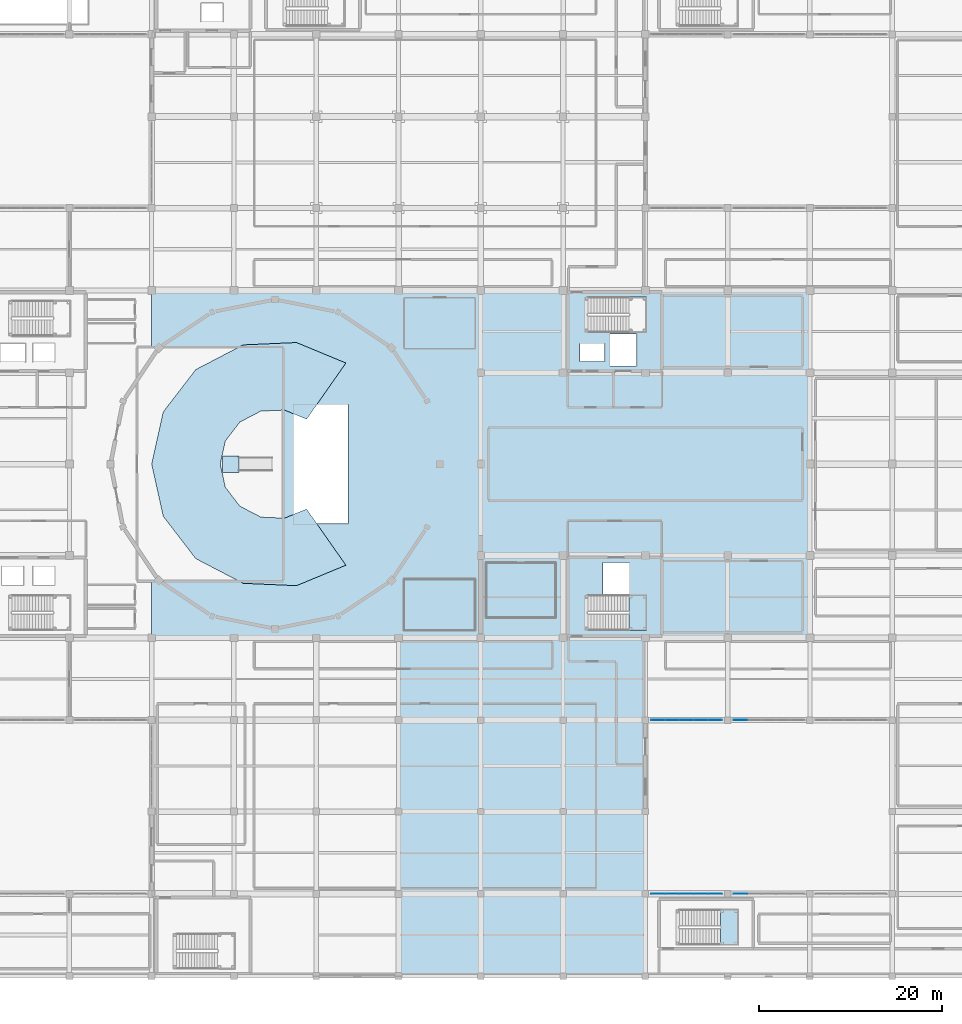
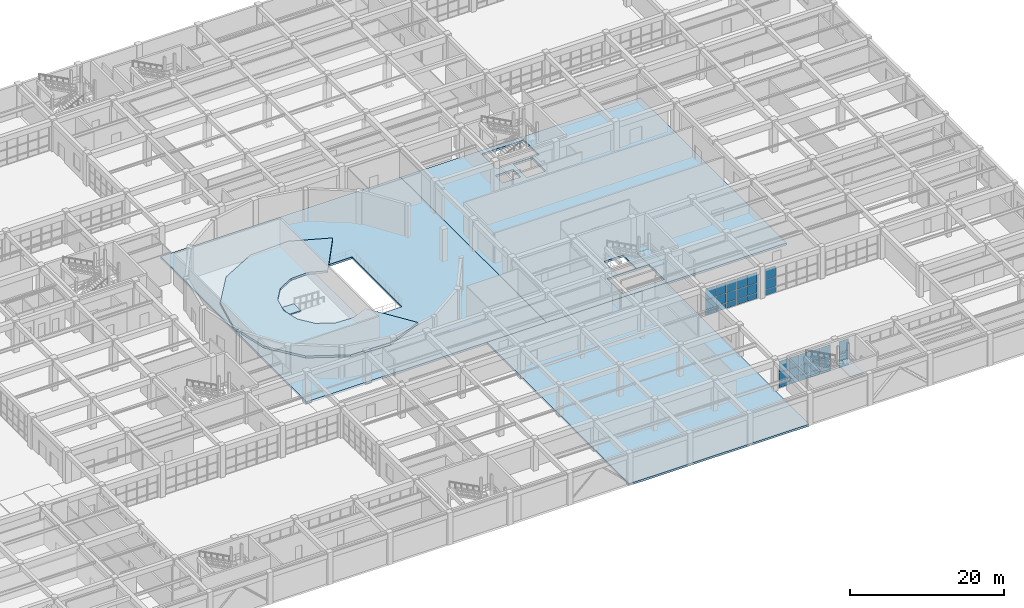
# One storey, part 88 of 128: 36 plates, 7 slabs, 7 elements without a shape of their own.
"""IFC4 building model written with IfcOpenShell, lengths in metres."""

from ifc_helpers import new_model, si_unit, direction, frame, origin, origin_2d, place, context, subcontext, project, spatial, polyline, rectangle, outline, extrude, material, layer, layer_set, type_object, element, aggregate, save


model = new_model("IFC4")

# Units and contexts
model_context = context("Model", 3, precision=1e-05, world=origin(), true_north=direction((0.0, 1.0)))
body_context = subcontext(model_context, "Body", "Model", "MODEL_VIEW")
ifc_project = project(units=[si_unit("LENGTHUNIT", "METRE"), si_unit("AREAUNIT", "SQUARE_METRE"), si_unit("VOLUMEUNIT", "CUBIC_METRE"), si_unit("PLANEANGLEUNIT", "RADIAN"), si_unit("MASSUNIT", "GRAM", prefix="KILO")], contexts=[model_context])

# Site, building, storey
site_placement = place(None, origin())
site = spatial("IfcSite", under=ifc_project, at=site_placement, CompositionType="ELEMENT")
building_placement = place(site_placement, origin())
building = spatial("IfcBuilding", under=site, at=building_placement, Name="Miravela Opera House", CompositionType="ELEMENT")
storey_placement = place(building_placement, origin())
storey = spatial("IfcBuildingStorey", under=building, at=storey_placement, Name="L00", CompositionType="ELEMENT", Elevation=0.0)

# Curtain wall, plates
ifc_material_1 = material(Name="Anodised architectural bronze aluminium 6063-T6", Category="aluminium")
curtain_wall_type = type_object("IfcCurtainWallType", Name="ARC-CW-06", PredefinedType="NOTDEFINED", material=ifc_material_1)
curtain_wall_1_placement = place(storey_placement, origin())
curtain_wall_1 = element("IfcCurtainWall", 1, at=curtain_wall_1_placement, inside=storey, type_object=curtain_wall_type, Name="Courtyard Arcade Curtain Wall CW-L00-158", PredefinedType="NOTDEFINED")
ifc_material_2 = material(Name="Acoustic laminated low-E insulating glass", Category="glass")
ifc_layer_1 = layer(ifc_material_2, 0.028076171875)
ifc_layer_set_1 = layer_set([ifc_layer_1])
plate_type = type_object("IfcPlateType", Name="ARC-CWP-28", PredefinedType="CURTAIN_PANEL", material=ifc_layer_set_1)
plate_1_placement = place(storey_placement, frame((118.37890625, 28.0, 0.06005859375), z_axis=(0.0, 0.0, 1.0), x_axis=(1.0, 0.0, 0.0)))
plate_1 = element("IfcPlate", 2, at=plate_1_placement, type_object=plate_type, Name="CW-06 panel 1.1", PredefinedType="CURTAIN_PANEL", context=body_context, shape_type="SweptSolid", body=[
    extrude(rectangle(XDim=1.47802734375, YDim=0.028076171875, at=origin_2d()), origin(), (0.0, 0.0, 1.0), 0.860107421875),
])
plate_2_placement = place(storey_placement, frame((118.37890625, 28.0, 0.97998046875), z_axis=(0.0, 0.0, 1.0), x_axis=(1.0, 0.0, 0.0)))
plate_2 = element("IfcPlate", 3, at=plate_2_placement, type_object=plate_type, Name="CW-06 panel 1.2", PredefinedType="CURTAIN_PANEL", context=body_context, shape_type="SweptSolid", body=[
    extrude(rectangle(XDim=1.47802734375, YDim=0.028076171875, at=origin_2d()), origin(), (0.0, 0.0, 1.0), 1.48388671875),
])
plate_3_placement = place(storey_placement, frame((118.37890625, 28.0, 2.52392578125), z_axis=(0.0, 0.0, 1.0), x_axis=(1.0, 0.0, 0.0)))
plate_3 = element("IfcPlate", 4, at=plate_3_placement, type_object=plate_type, Name="CW-06 panel 1.3", PredefinedType="CURTAIN_PANEL", context=body_context, shape_type="SweptSolid", body=[
    extrude(rectangle(XDim=1.47802734375, YDim=0.028076171875, at=origin_2d()), origin(), (0.0, 0.0, 1.0), 1.716064453125),
])
plate_4_placement = place(storey_placement, frame((119.931884765625, 28.0, 0.06005859375), z_axis=(0.0, 0.0, 1.0), x_axis=(1.0, 0.0, 0.0)))
plate_4 = element("IfcPlate", 5, at=plate_4_placement, type_object=plate_type, Name="CW-06 panel 2.1", PredefinedType="CURTAIN_PANEL", context=body_context, shape_type="SweptSolid", body=[
    extrude(rectangle(XDim=1.508056640625, YDim=0.028076171875, at=origin_2d()), origin(), (0.0, 0.0, 1.0), 0.860107421875),
])
plate_5_placement = place(storey_placement, frame((119.931884765625, 28.0, 0.97998046875), z_axis=(0.0, 0.0, 1.0), x_axis=(1.0, 0.0, 0.0)))
plate_5 = element("IfcPlate", 6, at=plate_5_placement, type_object=plate_type, Name="CW-06 panel 2.2", PredefinedType="CURTAIN_PANEL", context=body_context, shape_type="SweptSolid", body=[
    extrude(rectangle(XDim=1.508056640625, YDim=0.028076171875, at=origin_2d()), origin(), (0.0, 0.0, 1.0), 1.48388671875),
])
plate_6_placement = place(storey_placement, frame((119.931884765625, 28.0, 2.52392578125), z_axis=(0.0, 0.0, 1.0), x_axis=(1.0, 0.0, 0.0)))
plate_6 = element("IfcPlate", 7, at=plate_6_placement, type_object=plate_type, Name="CW-06 panel 2.3", PredefinedType="CURTAIN_PANEL", context=body_context, shape_type="SweptSolid", body=[
    extrude(rectangle(XDim=1.508056640625, YDim=0.028076171875, at=origin_2d()), origin(), (0.0, 0.0, 1.0), 1.716064453125),
])
plate_7_placement = place(storey_placement, frame((121.5, 28.0, 0.06005859375), z_axis=(0.0, 0.0, 1.0), x_axis=(1.0, 0.0, 0.0)))
plate_7 = element("IfcPlate", 8, at=plate_7_placement, type_object=plate_type, Name="CW-06 panel 3.1", PredefinedType="CURTAIN_PANEL", context=body_context, shape_type="SweptSolid", body=[
    extrude(rectangle(XDim=1.508056640625, YDim=0.028076171875, at=origin_2d()), origin(), (0.0, 0.0, 1.0), 0.860107421875),
])
plate_8_placement = place(storey_placement, frame((121.5, 28.0, 0.97998046875), z_axis=(0.0, 0.0, 1.0), x_axis=(1.0, 0.0, 0.0)))
plate_8 = element("IfcPlate", 9, at=plate_8_placement, type_object=plate_type, Name="CW-06 panel 3.2", PredefinedType="CURTAIN_PANEL", context=body_context, shape_type="SweptSolid", body=[
    extrude(rectangle(XDim=1.508056640625, YDim=0.028076171875, at=origin_2d()), origin(), (0.0, 0.0, 1.0), 1.48388671875),
])
plate_9_placement = place(storey_placement, frame((121.5, 28.0, 2.52392578125), z_axis=(0.0, 0.0, 1.0), x_axis=(1.0, 0.0, 0.0)))
plate_9 = element("IfcPlate", 10, at=plate_9_placement, type_object=plate_type, Name="CW-06 panel 3.3", PredefinedType="CURTAIN_PANEL", context=body_context, shape_type="SweptSolid", body=[
    extrude(rectangle(XDim=1.508056640625, YDim=0.028076171875, at=origin_2d()), origin(), (0.0, 0.0, 1.0), 1.716064453125),
])
plate_10_placement = place(storey_placement, frame((123.068115234375, 28.0, 0.06005859375), z_axis=(0.0, 0.0, 1.0), x_axis=(1.0, 0.0, 0.0)))
plate_10 = element("IfcPlate", 11, at=plate_10_placement, type_object=plate_type, Name="CW-06 panel 4.1", PredefinedType="CURTAIN_PANEL", context=body_context, shape_type="SweptSolid", body=[
    extrude(rectangle(XDim=1.508056640625, YDim=0.028076171875, at=origin_2d()), origin(), (0.0, 0.0, 1.0), 0.860107421875),
])
plate_11_placement = place(storey_placement, frame((123.068115234375, 28.0, 0.97998046875), z_axis=(0.0, 0.0, 1.0), x_axis=(1.0, 0.0, 0.0)))
plate_11 = element("IfcPlate", 12, at=plate_11_placement, type_object=plate_type, Name="CW-06 panel 4.2", PredefinedType="CURTAIN_PANEL", context=body_context, shape_type="SweptSolid", body=[
    extrude(rectangle(XDim=1.508056640625, YDim=0.028076171875, at=origin_2d()), origin(), (0.0, 0.0, 1.0), 1.48388671875),
])
plate_12_placement = place(storey_placement, frame((123.068115234375, 28.0, 2.52392578125), z_axis=(0.0, 0.0, 1.0), x_axis=(1.0, 0.0, 0.0)))
plate_12 = element("IfcPlate", 13, at=plate_12_placement, type_object=plate_type, Name="CW-06 panel 4.3", PredefinedType="CURTAIN_PANEL", context=body_context, shape_type="SweptSolid", body=[
    extrude(rectangle(XDim=1.508056640625, YDim=0.028076171875, at=origin_2d()), origin(), (0.0, 0.0, 1.0), 1.716064453125),
])
plate_13_placement = place(storey_placement, frame((124.62109375, 28.0, 0.06005859375), z_axis=(0.0, 0.0, 1.0), x_axis=(1.0, 0.0, 0.0)))
plate_13 = element("IfcPlate", 14, at=plate_13_placement, type_object=plate_type, Name="CW-06 panel 5.1", PredefinedType="CURTAIN_PANEL", context=body_context, shape_type="SweptSolid", body=[
    extrude(rectangle(XDim=1.47802734375, YDim=0.028076171875, at=origin_2d()), origin(), (0.0, 0.0, 1.0), 0.860107421875),
])
plate_14_placement = place(storey_placement, frame((124.62109375, 28.0, 0.97998046875), z_axis=(0.0, 0.0, 1.0), x_axis=(1.0, 0.0, 0.0)))
plate_14 = element("IfcPlate", 15, at=plate_14_placement, type_object=plate_type, Name="CW-06 panel 5.2", PredefinedType="CURTAIN_PANEL", context=body_context, shape_type="SweptSolid", body=[
    extrude(rectangle(XDim=1.47802734375, YDim=0.028076171875, at=origin_2d()), origin(), (0.0, 0.0, 1.0), 1.48388671875),
])
plate_15_placement = place(storey_placement, frame((124.62109375, 28.0, 2.52392578125), z_axis=(0.0, 0.0, 1.0), x_axis=(1.0, 0.0, 0.0)))
plate_15 = element("IfcPlate", 16, at=plate_15_placement, type_object=plate_type, Name="CW-06 panel 5.3", PredefinedType="CURTAIN_PANEL", context=body_context, shape_type="SweptSolid", body=[
    extrude(rectangle(XDim=1.47802734375, YDim=0.028076171875, at=origin_2d()), origin(), (0.0, 0.0, 1.0), 1.716064453125),
])
aggregate(curtain_wall_1, [plate_1, plate_2, plate_3, plate_4, plate_5, plate_6, plate_7, plate_8, plate_9, plate_10, plate_11, plate_12, plate_13, plate_14, plate_15])

curtain_wall_2_placement = place(storey_placement, origin())
curtain_wall_2 = element("IfcCurtainWall", 17, at=curtain_wall_2_placement, inside=storey, type_object=curtain_wall_type, Name="Courtyard Arcade Curtain Wall CW-L00-159", PredefinedType="NOTDEFINED")
plate_16_placement = place(storey_placement, frame((118.37890625, 9.0, 0.06005859375), z_axis=(0.0, 0.0, 1.0), x_axis=(1.0, 0.0, 0.0)))
plate_16 = element("IfcPlate", 18, at=plate_16_placement, type_object=plate_type, Name="CW-06 panel 1.1", PredefinedType="CURTAIN_PANEL", context=body_context, shape_type="SweptSolid", body=[
    extrude(rectangle(XDim=1.47802734375, YDim=0.028076171875, at=origin_2d()), origin(), (0.0, 0.0, 1.0), 0.860107421875),
])
plate_17_placement = place(storey_placement, frame((118.37890625, 9.0, 0.97998046875), z_axis=(0.0, 0.0, 1.0), x_axis=(1.0, 0.0, 0.0)))
plate_17 = element("IfcPlate", 19, at=plate_17_placement, type_object=plate_type, Name="CW-06 panel 1.2", PredefinedType="CURTAIN_PANEL", context=body_context, shape_type="SweptSolid", body=[
    extrude(rectangle(XDim=1.47802734375, YDim=0.028076171875, at=origin_2d()), origin(), (0.0, 0.0, 1.0), 1.48388671875),
])
plate_18_placement = place(storey_placement, frame((118.37890625, 9.0, 2.52392578125), z_axis=(0.0, 0.0, 1.0), x_axis=(1.0, 0.0, 0.0)))
plate_18 = element("IfcPlate", 20, at=plate_18_placement, type_object=plate_type, Name="CW-06 panel 1.3", PredefinedType="CURTAIN_PANEL", context=body_context, shape_type="SweptSolid", body=[
    extrude(rectangle(XDim=1.47802734375, YDim=0.028076171875, at=origin_2d()), origin(), (0.0, 0.0, 1.0), 1.716064453125),
])
plate_19_placement = place(storey_placement, frame((119.931884765625, 9.0, 0.06005859375), z_axis=(0.0, 0.0, 1.0), x_axis=(1.0, 0.0, 0.0)))
plate_19 = element("IfcPlate", 21, at=plate_19_placement, type_object=plate_type, Name="CW-06 panel 2.1", PredefinedType="CURTAIN_PANEL", context=body_context, shape_type="SweptSolid", body=[
    extrude(rectangle(XDim=1.508056640625, YDim=0.028076171875, at=origin_2d()), origin(), (0.0, 0.0, 1.0), 0.860107421875),
])
plate_20_placement = place(storey_placement, frame((119.931884765625, 9.0, 0.97998046875), z_axis=(0.0, 0.0, 1.0), x_axis=(1.0, 0.0, 0.0)))
plate_20 = element("IfcPlate", 22, at=plate_20_placement, type_object=plate_type, Name="CW-06 panel 2.2", PredefinedType="CURTAIN_PANEL", context=body_context, shape_type="SweptSolid", body=[
    extrude(rectangle(XDim=1.508056640625, YDim=0.028076171875, at=origin_2d()), origin(), (0.0, 0.0, 1.0), 1.48388671875),
])
plate_21_placement = place(storey_placement, frame((119.931884765625, 9.0, 2.52392578125), z_axis=(0.0, 0.0, 1.0), x_axis=(1.0, 0.0, 0.0)))
plate_21 = element("IfcPlate", 23, at=plate_21_placement, type_object=plate_type, Name="CW-06 panel 2.3", PredefinedType="CURTAIN_PANEL", context=body_context, shape_type="SweptSolid", body=[
    extrude(rectangle(XDim=1.508056640625, YDim=0.028076171875, at=origin_2d()), origin(), (0.0, 0.0, 1.0), 1.716064453125),
])
plate_22_placement = place(storey_placement, frame((121.5, 9.0, 0.06005859375), z_axis=(0.0, 0.0, 1.0), x_axis=(1.0, 0.0, 0.0)))
plate_22 = element("IfcPlate", 24, at=plate_22_placement, type_object=plate_type, Name="CW-06 panel 3.1", PredefinedType="CURTAIN_PANEL", context=body_context, shape_type="SweptSolid", body=[
    extrude(rectangle(XDim=1.508056640625, YDim=0.028076171875, at=origin_2d()), origin(), (0.0, 0.0, 1.0), 0.860107421875),
])
plate_23_placement = place(storey_placement, frame((121.5, 9.0, 0.97998046875), z_axis=(0.0, 0.0, 1.0), x_axis=(1.0, 0.0, 0.0)))
plate_23 = element("IfcPlate", 25, at=plate_23_placement, type_object=plate_type, Name="CW-06 panel 3.2", PredefinedType="CURTAIN_PANEL", context=body_context, shape_type="SweptSolid", body=[
    extrude(rectangle(XDim=1.508056640625, YDim=0.028076171875, at=origin_2d()), origin(), (0.0, 0.0, 1.0), 1.48388671875),
])
plate_24_placement = place(storey_placement, frame((121.5, 9.0, 2.52392578125), z_axis=(0.0, 0.0, 1.0), x_axis=(1.0, 0.0, 0.0)))
plate_24 = element("IfcPlate", 26, at=plate_24_placement, type_object=plate_type, Name="CW-06 panel 3.3", PredefinedType="CURTAIN_PANEL", context=body_context, shape_type="SweptSolid", body=[
    extrude(rectangle(XDim=1.508056640625, YDim=0.028076171875, at=origin_2d()), origin(), (0.0, 0.0, 1.0), 1.716064453125),
])
plate_25_placement = place(storey_placement, frame((123.068115234375, 9.0, 0.06005859375), z_axis=(0.0, 0.0, 1.0), x_axis=(1.0, 0.0, 0.0)))
plate_25 = element("IfcPlate", 27, at=plate_25_placement, type_object=plate_type, Name="CW-06 panel 4.1", PredefinedType="CURTAIN_PANEL", context=body_context, shape_type="SweptSolid", body=[
    extrude(rectangle(XDim=1.508056640625, YDim=0.028076171875, at=origin_2d()), origin(), (0.0, 0.0, 1.0), 0.860107421875),
])
plate_26_placement = place(storey_placement, frame((123.068115234375, 9.0, 0.97998046875), z_axis=(0.0, 0.0, 1.0), x_axis=(1.0, 0.0, 0.0)))
plate_26 = element("IfcPlate", 28, at=plate_26_placement, type_object=plate_type, Name="CW-06 panel 4.2", PredefinedType="CURTAIN_PANEL", context=body_context, shape_type="SweptSolid", body=[
    extrude(rectangle(XDim=1.508056640625, YDim=0.028076171875, at=origin_2d()), origin(), (0.0, 0.0, 1.0), 1.48388671875),
])
plate_27_placement = place(storey_placement, frame((123.068115234375, 9.0, 2.52392578125), z_axis=(0.0, 0.0, 1.0), x_axis=(1.0, 0.0, 0.0)))
plate_27 = element("IfcPlate", 29, at=plate_27_placement, type_object=plate_type, Name="CW-06 panel 4.3", PredefinedType="CURTAIN_PANEL", context=body_context, shape_type="SweptSolid", body=[
    extrude(rectangle(XDim=1.508056640625, YDim=0.028076171875, at=origin_2d()), origin(), (0.0, 0.0, 1.0), 1.716064453125),
])
plate_28_placement = place(storey_placement, frame((124.62109375, 9.0, 0.06005859375), z_axis=(0.0, 0.0, 1.0), x_axis=(1.0, 0.0, 0.0)))
plate_28 = element("IfcPlate", 30, at=plate_28_placement, type_object=plate_type, Name="CW-06 panel 5.1", PredefinedType="CURTAIN_PANEL", context=body_context, shape_type="SweptSolid", body=[
    extrude(rectangle(XDim=1.47802734375, YDim=0.028076171875, at=origin_2d()), origin(), (0.0, 0.0, 1.0), 0.860107421875),
])
plate_29_placement = place(storey_placement, frame((124.62109375, 9.0, 0.97998046875), z_axis=(0.0, 0.0, 1.0), x_axis=(1.0, 0.0, 0.0)))
plate_29 = element("IfcPlate", 31, at=plate_29_placement, type_object=plate_type, Name="CW-06 panel 5.2", PredefinedType="CURTAIN_PANEL", context=body_context, shape_type="SweptSolid", body=[
    extrude(rectangle(XDim=1.47802734375, YDim=0.028076171875, at=origin_2d()), origin(), (0.0, 0.0, 1.0), 1.48388671875),
])
plate_30_placement = place(storey_placement, frame((124.62109375, 9.0, 2.52392578125), z_axis=(0.0, 0.0, 1.0), x_axis=(1.0, 0.0, 0.0)))
plate_30 = element("IfcPlate", 32, at=plate_30_placement, type_object=plate_type, Name="CW-06 panel 5.3", PredefinedType="CURTAIN_PANEL", context=body_context, shape_type="SweptSolid", body=[
    extrude(rectangle(XDim=1.47802734375, YDim=0.028076171875, at=origin_2d()), origin(), (0.0, 0.0, 1.0), 1.716064453125),
])
aggregate(curtain_wall_2, [plate_16, plate_17, plate_18, plate_19, plate_20, plate_21, plate_22, plate_23, plate_24, plate_25, plate_26, plate_27, plate_28, plate_29, plate_30])

curtain_wall_3_placement = place(storey_placement, origin())
curtain_wall_3 = element("IfcCurtainWall", 33, at=curtain_wall_3_placement, inside=storey, type_object=curtain_wall_type, Name="Courtyard Arcade Curtain Wall CW-L00-162", PredefinedType="NOTDEFINED")
plate_31_placement = place(storey_placement, frame((127.37890625, 28.0, 0.06005859375), z_axis=(0.0, 0.0, 1.0), x_axis=(1.0, 0.0, 0.0)))
plate_31 = element("IfcPlate", 34, at=plate_31_placement, type_object=plate_type, Name="CW-06 panel 1.1", PredefinedType="CURTAIN_PANEL", context=body_context, shape_type="SweptSolid", body=[
    extrude(rectangle(XDim=1.47802734375, YDim=0.028076171875, at=origin_2d()), origin(), (0.0, 0.0, 1.0), 0.860107421875),
])
plate_32_placement = place(storey_placement, frame((127.37890625, 28.0, 0.97998046875), z_axis=(0.0, 0.0, 1.0), x_axis=(1.0, 0.0, 0.0)))
plate_32 = element("IfcPlate", 35, at=plate_32_placement, type_object=plate_type, Name="CW-06 panel 1.2", PredefinedType="CURTAIN_PANEL", context=body_context, shape_type="SweptSolid", body=[
    extrude(rectangle(XDim=1.47802734375, YDim=0.028076171875, at=origin_2d()), origin(), (0.0, 0.0, 1.0), 1.48388671875),
])
plate_33_placement = place(storey_placement, frame((127.37890625, 28.0, 2.52392578125), z_axis=(0.0, 0.0, 1.0), x_axis=(1.0, 0.0, 0.0)))
plate_33 = element("IfcPlate", 36, at=plate_33_placement, type_object=plate_type, Name="CW-06 panel 1.3", PredefinedType="CURTAIN_PANEL", context=body_context, shape_type="SweptSolid", body=[
    extrude(rectangle(XDim=1.47802734375, YDim=0.028076171875, at=origin_2d()), origin(), (0.0, 0.0, 1.0), 1.716064453125),
])
aggregate(curtain_wall_3, [plate_31, plate_32, plate_33])

curtain_wall_4_placement = place(storey_placement, origin())
curtain_wall_4 = element("IfcCurtainWall", 37, at=curtain_wall_4_placement, inside=storey, type_object=curtain_wall_type, Name="Courtyard Arcade Curtain Wall CW-L00-163", PredefinedType="NOTDEFINED")
plate_34_placement = place(storey_placement, frame((127.37890625, 9.0, 0.06005859375), z_axis=(0.0, 0.0, 1.0), x_axis=(1.0, 0.0, 0.0)))
plate_34 = element("IfcPlate", 38, at=plate_34_placement, type_object=plate_type, Name="CW-06 panel 1.1", PredefinedType="CURTAIN_PANEL", context=body_context, shape_type="SweptSolid", body=[
    extrude(rectangle(XDim=1.47802734375, YDim=0.028076171875, at=origin_2d()), origin(), (0.0, 0.0, 1.0), 0.860107421875),
])
plate_35_placement = place(storey_placement, frame((127.37890625, 9.0, 0.97998046875), z_axis=(0.0, 0.0, 1.0), x_axis=(1.0, 0.0, 0.0)))
plate_35 = element("IfcPlate", 39, at=plate_35_placement, type_object=plate_type, Name="CW-06 panel 1.2", PredefinedType="CURTAIN_PANEL", context=body_context, shape_type="SweptSolid", body=[
    extrude(rectangle(XDim=1.47802734375, YDim=0.028076171875, at=origin_2d()), origin(), (0.0, 0.0, 1.0), 1.48388671875),
])
plate_36_placement = place(storey_placement, frame((127.37890625, 9.0, 2.52392578125), z_axis=(0.0, 0.0, 1.0), x_axis=(1.0, 0.0, 0.0)))
plate_36 = element("IfcPlate", 40, at=plate_36_placement, type_object=plate_type, Name="CW-06 panel 1.3", PredefinedType="CURTAIN_PANEL", context=body_context, shape_type="SweptSolid", body=[
    extrude(rectangle(XDim=1.47802734375, YDim=0.028076171875, at=origin_2d()), origin(), (0.0, 0.0, 1.0), 1.716064453125),
])
aggregate(curtain_wall_4, [plate_34, plate_35, plate_36])

# Stair, slab
ifc_material_3 = material(Name="Concrete C35/45", Category="concrete")
stair_type_1 = type_object("IfcStairType", Name="ARC-STAIR-CORE-1680", PredefinedType="HALF_TURN_STAIR", material=ifc_material_3)
stair_1_placement = place(storey_placement, origin())
stair_1 = element("IfcStair", 41, at=stair_1_placement, inside=storey, type_object=stair_type_1, Name="L00 Core K4 South Stage Core Exit Stair ST-04", PredefinedType="HALF_TURN_STAIR")
ifc_layer_2 = layer(ifc_material_3, 0.199951171875)
ifc_layer_set_2 = layer_set([ifc_layer_2])
slab_type_1 = type_object("IfcSlabType", Name="ARC-LANDING-200", PredefinedType="LANDING", material=ifc_layer_set_2)
slab_1_placement = place(storey_placement, frame((0.0, 0.0, 2.35009765625)))
slab_1 = element("IfcSlab", 42, at=slab_1_placement, type_object=slab_type_1, Name="ST-04 landing 1", PredefinedType="LANDING", context=body_context, shape_type="SweptSolid", body=[
    extrude(outline(polyline([(115.219970703125, 37.800048828125), (117.10009765625, 37.800048828125), (117.10009765625, 41.679931640625), (115.219970703125, 41.679931640625), (115.219970703125, 37.800048828125)])), origin(), (0.0, 0.0, 1.0), 0.199951171875),
])
aggregate(stair_1, [slab_1])

stair_type_2 = type_object("IfcStairType", Name="ARC-STAIR-WING-1680", PredefinedType="HALF_TURN_STAIR", material=ifc_material_3)
stair_2_placement = place(storey_placement, origin())
stair_2 = element("IfcStair", 43, at=stair_2_placement, inside=storey, type_object=stair_type_2, Name="L00 East Workshop Wing Exit Stair ST-10", PredefinedType="HALF_TURN_STAIR")
ifc_layer_3 = layer(ifc_material_3, 0.215087890625)
ifc_layer_set_3 = layer_set([ifc_layer_3])
slab_type_2 = type_object("IfcSlabType", Name="ARC-LANDING-215", PredefinedType="LANDING", material=ifc_layer_set_3)
slab_2_placement = place(storey_placement, frame((0.0, 0.0, 2.3349609375)))
slab_2 = element("IfcSlab", 44, at=slab_2_placement, type_object=slab_type_2, Name="ST-10 landing 1", PredefinedType="LANDING", context=body_context, shape_type="SweptSolid", body=[
    extrude(outline(polyline([(125.219970703125, 3.39990234375), (127.10009765625, 3.39990234375), (127.10009765625, 7.280029296875), (125.219970703125, 7.280029296875), (125.219970703125, 3.39990234375)])), origin(), (0.0, 0.0, 1.0), 0.215087890625),
])
aggregate(stair_2, [slab_2])

# Ramp, slab
ramp_type = type_object("IfcRampType", Name="ARC-RAMP-ACC-1800", PredefinedType="STRAIGHT_RUN_RAMP", material=ifc_material_3)
ramp_placement = place(storey_placement, origin())
ramp = element("IfcRamp", 45, at=ramp_placement, inside=storey, type_object=ramp_type, Name="Auditorium Stalls Accessible Ramp", PredefinedType="STRAIGHT_RUN_RAMP")
ifc_layer_4 = layer(ifc_material_3, 0.25)
ifc_layer_set_4 = layer_set([ifc_layer_4])
slab_type_3 = type_object("IfcSlabType", Name="ARC-RLANDING-250", PredefinedType="LANDING", material=ifc_layer_set_4)
slab_3_placement = place(storey_placement, origin())
slab_3 = element("IfcSlab", 46, at=slab_3_placement, type_object=slab_type_3, Name="Auditorium Stalls Accessible Ramp landing 1", PredefinedType="LANDING", context=body_context, shape_type="SweptSolid", body=[
    extrude(outline(polyline([(70.75, 55.10009765625), (72.550048828125, 55.10009765625), (72.550048828125, 56.89990234375), (70.75, 56.89990234375), (70.75, 55.10009765625)])), origin(), (0.0, 0.0, 1.0), 0.179931640625),
])
aggregate(ramp, [slab_3])

# Slabs
ifc_material_4 = material(Name="Concrete C40/50", Category="concrete")
ifc_layer_5 = layer(ifc_material_4, 0.320068359375)
ifc_layer_set_5 = layer_set([ifc_layer_5])
slab_type_4 = type_object("IfcSlabType", Name="STR-SLAB-STAGE-320", PredefinedType="FLOOR", material=ifc_layer_set_5)
slab_4_placement = place(storey_placement, frame((0.0, 0.0, -0.320068359375)))
element("IfcSlab", 47, at=slab_4_placement, inside=storey, type_object=slab_type_4, Name="Ground Level Slab SLAB-L00-V1E", PredefinedType="FLOOR", context=body_context, shape_type="SweptSolid", body=[
    extrude(outline(polyline([(63.0, 37.0), (99.0, 37.0), (99.0, 75.0), (63.0, 75.0), (63.0, 37.0)]), holes=[polyline([(78.5, 49.5), (84.5, 49.5), (84.5, 62.5), (78.5, 62.5), (78.5, 49.5)])]), origin(), (0.0, 0.0, 1.0), 0.320068359375),
])
slab_5_placement = place(storey_placement, frame((0.0, 0.0, -0.320068359375)))
element("IfcSlab", 48, at=slab_5_placement, inside=storey, type_object=slab_type_4, Name="Ground Level Slab SLAB-L00-V2M", PredefinedType="FLOOR", context=body_context, shape_type="SweptSolid", body=[
    extrude(outline(polyline([(99.0, 37.0), (135.0, 37.0), (135.0, 75.0), (99.0, 75.0), (99.0, 37.0)]), holes=[polyline([(110.739990234375, 70.39990234375), (117.10009765625, 70.39990234375), (117.10009765625, 74.280029296875), (110.739990234375, 74.280029296875), (110.739990234375, 70.39990234375)]), polyline([(110.739990234375, 37.800048828125), (117.10009765625, 37.800048828125), (117.10009765625, 41.679931640625), (110.739990234375, 41.679931640625), (110.739990234375, 37.800048828125)]), polyline([(109.85009765625, 67.22509765625), (112.550048828125, 67.22509765625), (112.550048828125, 69.175048828125), (109.85009765625, 69.175048828125), (109.85009765625, 67.22509765625)]), polyline([(113.14990234375, 66.75), (116.050048828125, 66.75), (116.050048828125, 70.25), (113.14990234375, 70.25), (113.14990234375, 66.75)]), polyline([(112.35009765625, 41.75), (115.25, 41.75), (115.25, 45.25), (112.35009765625, 45.25), (112.35009765625, 41.75)])]), origin(), (0.0, 0.0, 1.0), 0.320068359375),
])
slab_6_placement = place(storey_placement, frame((0.0, 0.0, -0.320068359375)))
element("IfcSlab", 49, at=slab_6_placement, inside=storey, type_object=slab_type_4, Name="Ground Level Slab SLAB-L00-V4M2", PredefinedType="FLOOR", context=body_context, shape_type="SweptSolid", body=[
    extrude(outline(polyline([(90.0, 0.0), (117.0, 0.0), (117.0, 37.0), (90.0, 37.0), (90.0, 0.0)])), origin(), (0.0, 0.0, 1.0), 0.320068359375),
])
ifc_material_5 = material(Name="Precast concrete C40/50", Category="concrete")
ifc_layer_6 = layer(ifc_material_5, 0.219970703125)
ifc_layer_set_6 = layer_set([ifc_layer_6])
slab_type_5 = type_object("IfcSlabType", Name="STR-SLAB-TIER-220", PredefinedType="USERDEFINED", material=ifc_layer_set_6)
slab_7_placement = place(storey_placement, frame((0.0, 0.0, 0.02001953125)))
element("IfcSlab", 50, at=slab_7_placement, inside=storey, type_object=slab_type_5, Name="Stand Main Auditorium Horseshoe Tier 1 (L00)", ObjectType="SEATING TIER", PredefinedType="USERDEFINED", context=body_context, shape_type="SweptSolid", body=[
    extrude(outline(polyline([(84.243408203125, 67.05859375), (78.84423828125, 69.294921875), (73.005859375, 69.0400390625), (67.822509765625, 66.341552734375), (64.264892578125, 61.705322265625), (63.0, 56.0), (64.264892578125, 50.294677734375), (67.822509765625, 45.658447265625), (73.005859375, 42.9599609375), (78.84423828125, 42.705078125), (84.243408203125, 44.94140625), (79.94140625, 51.085205078125), (77.5419921875, 50.09130859375), (74.947021484375, 50.204345703125), (72.643310546875, 51.40380859375), (71.062255859375, 53.46435546875), (70.5, 56.0), (71.062255859375, 58.53564453125), (72.643310546875, 60.59619140625), (74.947021484375, 61.795654296875), (77.5419921875, 61.90869140625), (79.94140625, 60.914794921875), (84.243408203125, 67.05859375)])), origin(), (0.0, 0.0, 1.0), 0.320068359375),
])

save(model, "model.ifc")
